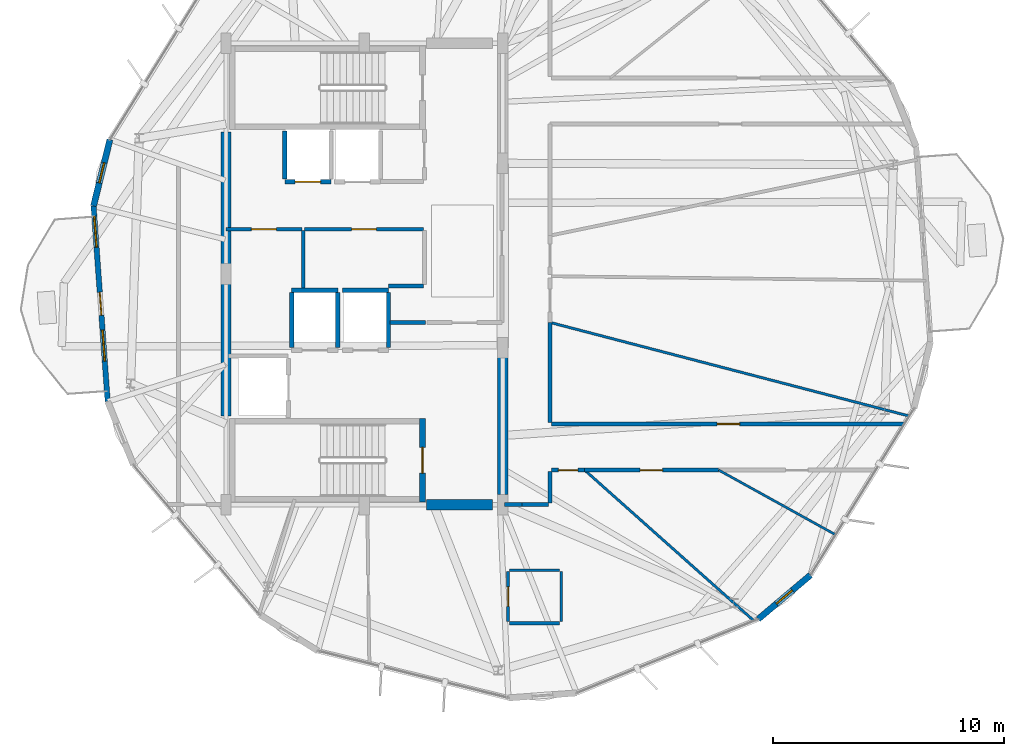
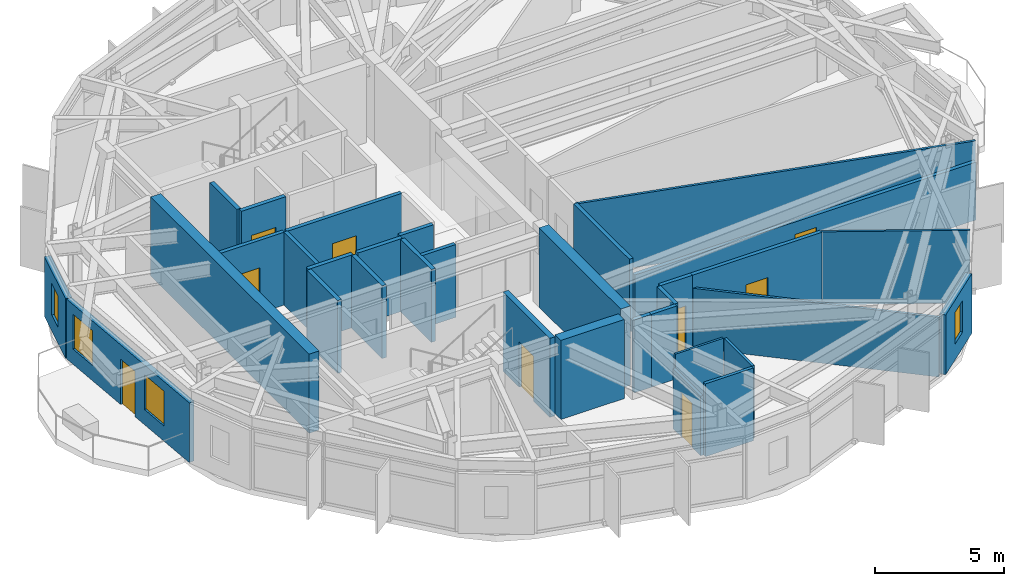
# One storey, part 21 of 26: 33 walls, 9 doors, 4 windows, 13 openings.
"""IFC4 building model written with IfcOpenShell, lengths in metres."""

from ifc_helpers import new_model, si_unit, direction, frame, frame_2d, origin, place, context, subcontext, project, spatial, rectangle, extrude, material, layer, layer_set, type_object, element, fill, save


model = new_model("IFC4")

# Units and contexts
model_context = context("Model", 3, precision=1e-05, world=origin(), true_north=direction((0.0, 1.0)))
body_context = subcontext(model_context, "Body", "Model", "MODEL_VIEW")
ifc_project = project(units=[si_unit("LENGTHUNIT", "METRE"), si_unit("AREAUNIT", "SQUARE_METRE"), si_unit("VOLUMEUNIT", "CUBIC_METRE"), si_unit("PLANEANGLEUNIT", "RADIAN"), si_unit("MASSUNIT", "GRAM", prefix="KILO")], contexts=[model_context])

# Site, building, storey
site_placement = place(None, origin())
site = spatial("IfcSite", under=ifc_project, at=site_placement, CompositionType="ELEMENT")
building_placement = place(site_placement, origin())
building = spatial("IfcBuilding", under=site, at=building_placement, Name="Soratama Intermodal Tower", CompositionType="ELEMENT")
storey_placement = place(building_placement, frame((0.0, 0.0, 246.25)))
storey = spatial("IfcBuildingStorey", under=building, at=storey_placement, Name="L62", CompositionType="ELEMENT", Elevation=246.25)

# Wall, openings, door, windows
ifc_material_1 = material(Name="Concrete f'c 42 MPa", Category="concrete")
ifc_layer_1 = layer(ifc_material_1, 0.22998046875)
ifc_layer_set_1 = layer_set([ifc_layer_1], Name="Concrete f'c 42 MPa")
wall_type_1 = type_object("IfcWallType", Name="EW-BAL-230", PredefinedType="SOLIDWALL", material=ifc_layer_set_1)
wall_1_placement = place(storey_placement, frame((26.860107421875, 27.947998046875, 0.0), z_axis=(0.0, 0.0, 1.0), x_axis=(0.072181914465, -0.997391483433, 0.0)))
wall_1 = element("IfcWall", 1, at=wall_1_placement, inside=storey, type_object=wall_type_1, Name="L62 Terrace Wall F04", PredefinedType="SOLIDWALL", context=body_context, shape_type="SweptSolid", body=[
    extrude(rectangle(XDim=8.499755859375, YDim=0.22998046875, at=frame_2d((4.25, 0.0))), origin(), (0.0, 0.0, 1.0), 2.8291015625),
])
opening_1_placement = place(wall_1_placement, frame((3.75, 0.0, 0.0)))
opening_1 = element("IfcOpeningElement", 2, at=opening_1_placement, cuts=wall_1, Name="Opening ED-2", PredefinedType="OPENING", context=body_context, shape_type="SweptSolid", body=[
    extrude(rectangle(XDim=1.0, YDim=2.14990234375, at=frame_2d((0.5, 1.074951171875))), frame((0.0, 0.125, 0.0), z_axis=(0.0, -1.0, 0.0), x_axis=(1.0, 0.0, 0.0)), (0.0, 0.0, 1.0), 0.25),
])
opening_2_placement = place(wall_1_placement, frame((0.43994140625, 0.0, 0.719970703125)))
opening_2 = element("IfcOpeningElement", 3, at=opening_2_placement, cuts=wall_1, Name="Opening WN-4", PredefinedType="OPENING", context=body_context, shape_type="SweptSolid", body=[
    extrude(rectangle(XDim=1.35009765625, YDim=1.64990234375, at=frame_2d((0.675048828125, 0.824951171875))), frame((0.0, 0.125, 0.0), z_axis=(0.0, -1.0, 0.0), x_axis=(1.0, 0.0, 0.0)), (0.0, 0.0, 1.0), 0.25),
])
opening_3_placement = place(wall_1_placement, frame((5.389892578125, 0.0, 0.719970703125)))
opening_3 = element("IfcOpeningElement", 4, at=opening_3_placement, cuts=wall_1, Name="Opening WN-4", PredefinedType="OPENING", context=body_context, shape_type="SweptSolid", body=[
    extrude(rectangle(XDim=1.35009765625, YDim=1.64990234375, at=frame_2d((0.675048828125, 0.824951171875))), frame((0.0, 0.125, 0.0), z_axis=(0.0, -1.0, 0.0), x_axis=(1.0, 0.0, 0.0)), (0.0, 0.0, 1.0), 0.25),
])
ifc_material_2 = material(Name="Double-glazed aluminium door", Category="aluminium")
door_type_1 = type_object("IfcDoorType", Name="DR-BAL-1000", OperationType="NOTDEFINED", PredefinedType="DOOR", material=ifc_material_2)
door_1_placement = place(opening_1_placement, origin())
door_1 = element("IfcDoor", 5, at=door_1_placement, inside=storey, type_object=door_type_1, Name="L62 Balcony Door F04", OperationType="SINGLE_SWING_RIGHT", OverallHeight=2.14990234375, OverallWidth=1.0, PredefinedType="DOOR", context=body_context, shape_type="SweptSolid", body=[
    extrude(rectangle(XDim=1.0, YDim=2.14990234375, at=frame_2d((0.5, 1.074951171875))), frame((0.0, 0.02490234375, 0.0), z_axis=(0.0, -1.0, 0.0), x_axis=(1.0, 0.0, 0.0)), (0.0, 0.0, 1.0), 0.050048828125),
])
fill(opening_1, door_1)
ifc_material_3 = material(Name="Double-glazed aluminium window", Category="aluminium")
window_type_1 = type_object("IfcWindowType", Name="WN-FAC-1350", PartitioningType="SINGLE_PANEL", PredefinedType="WINDOW", material=ifc_material_3)
window_1_placement = place(opening_2_placement, origin())
window_1 = element("IfcWindow", 6, at=window_1_placement, inside=storey, type_object=window_type_1, Name="L62 Window A F04", OverallHeight=1.64990234375, OverallWidth=1.35009765625, PartitioningType="SINGLE_PANEL", PredefinedType="WINDOW", context=body_context, shape_type="SweptSolid", body=[
    extrude(rectangle(XDim=1.35009765625, YDim=1.64990234375, at=frame_2d((0.675048828125, 0.824951171875))), frame((0.0, 0.030029296875, 0.0), z_axis=(0.0, -1.0, 0.0), x_axis=(1.0, 0.0, 0.0)), (0.0, 0.0, 1.0), 0.06005859375),
])
fill(opening_2, window_1)
window_2_placement = place(opening_3_placement, origin())
window_2 = element("IfcWindow", 7, at=window_2_placement, inside=storey, type_object=window_type_1, Name="L62 Window B F04", OverallHeight=1.64990234375, OverallWidth=1.35009765625, PartitioningType="SINGLE_PANEL", PredefinedType="WINDOW", context=body_context, shape_type="SweptSolid", body=[
    extrude(rectangle(XDim=1.35009765625, YDim=1.64990234375, at=frame_2d((0.675048828125, 0.824951171875))), frame((0.0, 0.030029296875, 0.0), z_axis=(0.0, -1.0, 0.0), x_axis=(1.0, 0.0, 0.0)), (0.0, 0.0, 1.0), 0.06005859375),
])
fill(opening_3, window_2)

# Wall, opening, window
ifc_material_4 = material(Name="Concrete f'c 42 MPa", Category="concrete")
ifc_layer_2 = layer(ifc_material_4, 0.27001953125)
ifc_layer_set_2 = layer_set([ifc_layer_2], Name="Concrete f'c 42 MPa")
wall_type_2 = type_object("IfcWallType", Name="EW-CRN-270", PredefinedType="SOLIDWALL", material=ifc_layer_set_2)
wall_2_placement = place(storey_placement, frame((27.570556640625, 30.828125, 0.0), z_axis=(0.0, 0.0, 1.0), x_axis=(-0.23949416051, -0.970897804654, 0.0)))
wall_2 = element("IfcWall", 8, at=wall_2_placement, inside=storey, type_object=wall_type_2, Name="L62 Corner Closure Wall 03", PredefinedType="SOLIDWALL", context=body_context, shape_type="SweptSolid", body=[
    extrude(rectangle(XDim=2.966552734375, YDim=0.27001953125, at=frame_2d((1.4833984375, 0.0))), origin(), (0.0, 0.0, 1.0), 2.8291015625),
])
opening_4_placement = place(wall_2_placement, frame((1.033203125, 0.0, 0.75)))
opening_4 = element("IfcOpeningElement", 9, at=opening_4_placement, cuts=wall_2, Name="Opening WN-6", PredefinedType="OPENING", context=body_context, shape_type="SweptSolid", body=[
    extrude(rectangle(XDim=0.89990234375, YDim=1.5, at=frame_2d((0.449951171875, 0.75))), frame((0.0, 0.14501953125, 0.0), z_axis=(0.0, -1.0, 0.0), x_axis=(1.0, 0.0, 0.0)), (0.0, 0.0, 1.0), 0.2900390625),
])
ifc_material_5 = material(Name="Double-glazed aluminium window", Category="aluminium")
window_type_2 = type_object("IfcWindowType", Name="WN-FAC-900", PartitioningType="SINGLE_PANEL", PredefinedType="WINDOW", material=ifc_material_5)
window_3_placement = place(opening_4_placement, origin())
window_3 = element("IfcWindow", 10, at=window_3_placement, inside=storey, type_object=window_type_2, Name="L62 Corner Window 03", OverallHeight=1.5, OverallWidth=0.89990234375, PartitioningType="SINGLE_PANEL", PredefinedType="WINDOW", context=body_context, shape_type="SweptSolid", body=[
    extrude(rectangle(XDim=0.89990234375, YDim=1.5, at=frame_2d((0.449951171875, 0.75))), frame((0.0, 0.030029296875, 0.0), z_axis=(0.0, -1.0, 0.0), x_axis=(1.0, 0.0, 0.0)), (0.0, 0.0, 1.0), 0.06005859375),
])
fill(opening_4, window_3)

wall_3_placement = place(storey_placement, frame((55.6748046875, 10.040283203125, 0.0), z_axis=(0.0, 0.0, 1.0), x_axis=(0.764511985062, 0.644609513347, 0.0)))
wall_3 = element("IfcWall", 11, at=wall_3_placement, inside=storey, type_object=wall_type_2, Name="L62 Corner Closure Wall 07", PredefinedType="SOLIDWALL", context=body_context, shape_type="SweptSolid", body=[
    extrude(rectangle(XDim=2.966796875, YDim=0.27001953125, at=frame_2d((1.4833984375, 0.0))), origin(), (0.0, 0.0, 1.0), 2.8291015625),
])
opening_5_placement = place(wall_3_placement, frame((1.033203125, 0.0, 0.75)))
opening_5 = element("IfcOpeningElement", 12, at=opening_5_placement, cuts=wall_3, Name="Opening WN-6", PredefinedType="OPENING", context=body_context, shape_type="SweptSolid", body=[
    extrude(rectangle(XDim=0.89990234375, YDim=1.5, at=frame_2d((0.449951171875, 0.75))), frame((0.0, 0.14501953125, 0.0), z_axis=(0.0, -1.0, 0.0), x_axis=(1.0, 0.0, 0.0)), (0.0, 0.0, 1.0), 0.2900390625),
])
window_4_placement = place(opening_5_placement, origin())
window_4 = element("IfcWindow", 13, at=window_4_placement, inside=storey, type_object=window_type_2, Name="L62 Corner Window 07", OverallHeight=1.5, OverallWidth=0.89990234375, PartitioningType="SINGLE_PANEL", PredefinedType="WINDOW", context=body_context, shape_type="SweptSolid", body=[
    extrude(rectangle(XDim=0.89990234375, YDim=1.5, at=frame_2d((0.449951171875, 0.75))), frame((0.0, 0.030029296875, 0.0), z_axis=(0.0, -1.0, 0.0), x_axis=(1.0, 0.0, 0.0)), (0.0, 0.0, 1.0), 0.06005859375),
])
fill(opening_5, window_4)

# Wall, opening, door
ifc_material_6 = material(Name="Fire-rated gypsum stud partition", Category="concrete")
ifc_layer_3 = layer(ifc_material_6, 0.169921875)
ifc_layer_set_3 = layer_set([ifc_layer_3], Name="Fire-rated gypsum stud partition")
wall_type_3 = type_object("IfcWallType", Name="IW-PART-R170", PredefinedType="PARTITIONING", material=ifc_layer_set_3)
wall_4_placement = place(storey_placement, frame((46.719970703125, 18.5, 0.0), z_axis=(0.0, 0.0, 1.0), x_axis=(1.0, 0.0, 0.0)))
wall_4 = element("IfcWall", 14, at=wall_4_placement, inside=storey, type_object=wall_type_3, Name="L62 Partition W-L62-TP005", PredefinedType="PARTITIONING", context=body_context, shape_type="SweptSolid", body=[
    extrude(rectangle(XDim=15.2919921875, YDim=0.169921875, at=frame_2d((7.64599609375, 0.0))), origin(), (0.0, 0.0, 1.0), 2.7451171875),
])
opening_6_placement = place(wall_4_placement, frame((7.1708984375, 0.0, 0.0)))
opening_6 = element("IfcOpeningElement", 15, at=opening_6_placement, cuts=wall_4, Name="Opening ID-5", PredefinedType="OPENING", context=body_context, shape_type="SweptSolid", body=[
    extrude(rectangle(XDim=0.97998046875, YDim=2.14990234375, at=frame_2d((0.489990234375, 1.074951171875))), frame((0.0, 0.094970703125, 0.0), z_axis=(0.0, -1.0, 0.0), x_axis=(1.0, 0.0, 0.0)), (0.0, 0.0, 1.0), 0.18994140625),
])
ifc_material_7 = material(Name="Solid hardwood acoustic door", Category="wood")
door_type_2 = type_object("IfcDoorType", Name="DR-OFF-980", OperationType="NOTDEFINED", PredefinedType="DOOR", material=ifc_material_7)
door_2_placement = place(opening_6_placement, origin())
door_2 = element("IfcDoor", 16, at=door_2_placement, inside=storey, type_object=door_type_2, Name="L62 Door D-L62-TP002", OperationType="SINGLE_SWING_LEFT", OverallHeight=2.14990234375, OverallWidth=0.97998046875, PredefinedType="DOOR", context=body_context, shape_type="SweptSolid", body=[
    extrude(rectangle(XDim=0.97998046875, YDim=2.14990234375, at=frame_2d((0.489990234375, 1.074951171875))), frame((0.0, 0.02490234375, 0.0), z_axis=(0.0, -1.0, 0.0), x_axis=(1.0, 0.0, 0.0)), (0.0, 0.0, 1.0), 0.050048828125),
])
fill(opening_6, door_2)

wall_5_placement = place(storey_placement, frame((53.9619140625, 16.5, 0.0), z_axis=(0.0, 0.0, 1.0), x_axis=(-1.0, 0.0, 0.0)))
wall_5 = element("IfcWall", 17, at=wall_5_placement, inside=storey, type_object=wall_type_3, Name="L62 Partition W-L62-TP013", PredefinedType="PARTITIONING", context=body_context, shape_type="SweptSolid", body=[
    extrude(rectangle(XDim=5.81298828125, YDim=0.169921875, at=frame_2d((2.906494140625, 0.0))), origin(), (0.0, 0.0, 1.0), 3.449951171875),
])
opening_7_placement = place(wall_5_placement, frame((2.431884765625, 0.0, 0.0)))
opening_7 = element("IfcOpeningElement", 18, at=opening_7_placement, cuts=wall_5, Name="Opening ID-5", PredefinedType="OPENING", context=body_context, shape_type="SweptSolid", body=[
    extrude(rectangle(XDim=0.97998046875, YDim=2.14990234375, at=frame_2d((0.489990234375, 1.074951171875))), frame((0.0, 0.094970703125, 0.0), z_axis=(0.0, -1.0, 0.0), x_axis=(1.0, 0.0, 0.0)), (0.0, 0.0, 1.0), 0.18994140625),
])
door_3_placement = place(opening_7_placement, origin())
door_3 = element("IfcDoor", 19, at=door_3_placement, inside=storey, type_object=door_type_2, Name="L62 Door D-L62-TP007", OperationType="SINGLE_SWING_RIGHT", OverallHeight=2.14990234375, OverallWidth=0.97998046875, PredefinedType="DOOR", context=body_context, shape_type="SweptSolid", body=[
    extrude(rectangle(XDim=0.97998046875, YDim=2.14990234375, at=frame_2d((0.489990234375, 1.074951171875))), frame((0.0, 0.02490234375, 0.0), z_axis=(0.0, -1.0, 0.0), x_axis=(1.0, 0.0, 0.0)), (0.0, 0.0, 1.0), 0.050048828125),
])
fill(opening_7, door_3)

wall_6_placement = place(storey_placement, frame((41.159912109375, 26.93994140625, 0.0), z_axis=(0.0, 0.0, 1.0), x_axis=(-1.0, 0.0, 0.0)))
wall_6 = element("IfcWall", 20, at=wall_6_placement, inside=storey, type_object=wall_type_3, Name="L62 Partition W-L62-TP016", PredefinedType="PARTITIONING", context=body_context, shape_type="SweptSolid", body=[
    extrude(rectangle(XDim=5.14990234375, YDim=0.169921875, at=frame_2d((2.574951171875, 0.0))), origin(), (0.0, 0.0, 1.0), 3.449951171875),
])
opening_8_placement = place(wall_6_placement, frame((2.034912109375, 0.0, 0.0)))
opening_8 = element("IfcOpeningElement", 21, at=opening_8_placement, cuts=wall_6, Name="Opening ID-1", PredefinedType="OPENING", context=body_context, shape_type="SweptSolid", body=[
    extrude(rectangle(XDim=1.080078125, YDim=2.14990234375, at=frame_2d((0.5400390625, 1.074951171875))), frame((0.0, 0.094970703125, 0.0), z_axis=(0.0, -1.0, 0.0), x_axis=(1.0, 0.0, 0.0)), (0.0, 0.0, 1.0), 0.18994140625),
])
ifc_material_8 = material(Name="Solid hardwood acoustic door", Category="wood")
door_type_3 = type_object("IfcDoorType", Name="DR-LOB-FD60", OperationType="NOTDEFINED", PredefinedType="DOOR", material=ifc_material_8)
door_4_placement = place(opening_8_placement, origin())
door_4 = element("IfcDoor", 22, at=door_4_placement, inside=storey, type_object=door_type_3, Name="L62 Door D-L62-TP008", OperationType="SINGLE_SWING_LEFT", OverallHeight=2.14990234375, OverallWidth=1.080078125, PredefinedType="DOOR", context=body_context, shape_type="SweptSolid", body=[
    extrude(rectangle(XDim=1.080078125, YDim=2.14990234375, at=frame_2d((0.5400390625, 1.074951171875))), frame((0.0, 0.02490234375, 0.0), z_axis=(0.0, -1.0, 0.0), x_axis=(1.0, 0.0, 0.0)), (0.0, 0.0, 1.0), 0.050048828125),
])
fill(opening_8, door_4)

# Wall
wall_7_placement = place(storey_placement, frame((46.64990234375, 22.90087890625, 0.0), z_axis=(0.0, 0.0, 1.0), x_axis=(0.0, -1.0, 0.0)))
element("IfcWall", 23, at=wall_7_placement, inside=storey, type_object=wall_type_3, Name="L62 Partition W-L62-TP018", PredefinedType="PARTITIONING", context=body_context, shape_type="SweptSolid", body=[
    extrude(rectangle(XDim=4.330810546875, YDim=0.169921875, at=frame_2d((2.16552734375, 0.0))), origin(), (0.0, 0.0, 1.0), 3.449951171875),
])

# Wall, opening, door
wall_8_placement = place(storey_placement, frame((35.889892578125, 26.93994140625, 0.0), z_axis=(0.0, 0.0, 1.0), x_axis=(-1.0, 0.0, 0.0)))
wall_8 = element("IfcWall", 24, at=wall_8_placement, inside=storey, type_object=wall_type_3, Name="L62 Partition W-L62-TP020", PredefinedType="PARTITIONING", context=body_context, shape_type="SweptSolid", body=[
    extrude(rectangle(XDim=3.289794921875, YDim=0.169921875, at=frame_2d((1.64501953125, 0.0))), origin(), (0.0, 0.0, 1.0), 3.449951171875),
])
opening_9_placement = place(wall_8_placement, frame((1.10498046875, 0.0, 0.0)))
opening_9 = element("IfcOpeningElement", 25, at=opening_9_placement, cuts=wall_8, Name="Opening ID-1", PredefinedType="OPENING", context=body_context, shape_type="SweptSolid", body=[
    extrude(rectangle(XDim=1.080078125, YDim=2.14990234375, at=frame_2d((0.5400390625, 1.074951171875))), frame((0.0, 0.094970703125, 0.0), z_axis=(0.0, -1.0, 0.0), x_axis=(1.0, 0.0, 0.0)), (0.0, 0.0, 1.0), 0.18994140625),
])
door_5_placement = place(opening_9_placement, origin())
door_5 = element("IfcDoor", 26, at=door_5_placement, inside=storey, type_object=door_type_3, Name="L62 Door D-L62-TP009", OperationType="SINGLE_SWING_RIGHT", OverallHeight=2.14990234375, OverallWidth=1.080078125, PredefinedType="DOOR", context=body_context, shape_type="SweptSolid", body=[
    extrude(rectangle(XDim=1.080078125, YDim=2.14990234375, at=frame_2d((0.5400390625, 1.074951171875))), frame((0.0, 0.02490234375, 0.0), z_axis=(0.0, -1.0, 0.0), x_axis=(1.0, 0.0, 0.0)), (0.0, 0.0, 1.0), 0.050048828125),
])
fill(opening_9, door_5)

# Walls
wall_9_placement = place(storey_placement, frame((35.949951171875, 26.8798828125, 0.0), z_axis=(0.0, 0.0, 1.0), x_axis=(0.0, -1.0, 0.0)))
element("IfcWall", 27, at=wall_9_placement, inside=storey, type_object=wall_type_3, Name="L62 Partition W-L62-TP022", PredefinedType="PARTITIONING", context=body_context, shape_type="SweptSolid", body=[
    extrude(rectangle(XDim=2.579833984375, YDim=0.169921875, at=frame_2d((1.2900390625, 0.0))), origin(), (0.0, 0.0, 1.0), 3.449951171875),
])
wall_10_placement = place(storey_placement, frame((39.719970703125, 22.889892578125, 0.0), z_axis=(0.0, 0.0, 1.0), x_axis=(1.0, 0.0, 0.0)))
element("IfcWall", 28, at=wall_10_placement, inside=storey, type_object=wall_type_3, Name="L62 Partition W-L62-TP034", PredefinedType="PARTITIONING", context=body_context, shape_type="SweptSolid", body=[
    extrude(rectangle(XDim=1.52001953125, YDim=0.169921875, at=frame_2d((0.760009765625, 0.0))), origin(), (0.0, 0.0, 1.0), 3.449951171875),
])
wall_11_placement = place(storey_placement, frame((39.64990234375, 24.485107421875, 0.0), z_axis=(0.0, 0.0, 1.0), x_axis=(1.0, 0.0, 0.0)))
element("IfcWall", 29, at=wall_11_placement, inside=storey, type_object=wall_type_3, Name="L62 Partition W-L62-TP035", PredefinedType="PARTITIONING", context=body_context, shape_type="SweptSolid", body=[
    extrude(rectangle(XDim=1.510009765625, YDim=0.169921875, at=frame_2d((0.7548828125, 0.0))), origin(), (0.0, 0.0, 1.0), 3.449951171875),
])

# Wall, opening, door
wall_12_placement = place(storey_placement, frame((48.14892578125, 16.5, 0.0), z_axis=(0.0, 0.0, 1.0), x_axis=(-1.0, 0.0, 0.0)))
wall_12 = element("IfcWall", 30, at=wall_12_placement, inside=storey, type_object=wall_type_3, Name="L62 Partition W-L62-TP036", PredefinedType="PARTITIONING", context=body_context, shape_type="SweptSolid", body=[
    extrude(rectangle(XDim=1.428955078125, YDim=0.169921875, at=frame_2d((0.71435546875, 0.0))), origin(), (0.0, 0.0, 1.0), 3.449951171875),
])
opening_10_placement = place(wall_12_placement, frame((0.2900390625, 0.0, 0.0)))
opening_10 = element("IfcOpeningElement", 31, at=opening_10_placement, cuts=wall_12, Name="Opening ID-4", PredefinedType="OPENING", context=body_context, shape_type="SweptSolid", body=[
    extrude(rectangle(XDim=0.85009765625, YDim=2.10009765625, at=frame_2d((0.425048828125, 1.050048828125))), frame((0.0, 0.094970703125, 0.0), z_axis=(0.0, -1.0, 0.0), x_axis=(1.0, 0.0, 0.0)), (0.0, 0.0, 1.0), 0.18994140625),
])
ifc_material_9 = material(Name="Solid hardwood acoustic door", Category="wood")
door_type_4 = type_object("IfcDoorType", Name="DR-BATH-850", OperationType="NOTDEFINED", PredefinedType="DOOR", material=ifc_material_9)
door_6_placement = place(opening_10_placement, origin())
door_6 = element("IfcDoor", 32, at=door_6_placement, inside=storey, type_object=door_type_4, Name="L62 Door D-L62-TP016", OperationType="SINGLE_SWING_LEFT", OverallHeight=2.10009765625, OverallWidth=0.85009765625, PredefinedType="DOOR", context=body_context, shape_type="SweptSolid", body=[
    extrude(rectangle(XDim=0.85009765625, YDim=2.10009765625, at=frame_2d((0.425048828125, 1.050048828125))), frame((0.0, 0.02490234375, 0.0), z_axis=(0.0, -1.0, 0.0), x_axis=(1.0, 0.0, 0.0)), (0.0, 0.0, 1.0), 0.050048828125),
])
fill(opening_10, door_6)

# Walls
wall_13_placement = place(storey_placement, frame((46.64990234375, 16.429931640625, 0.0), z_axis=(0.0, 0.0, 1.0), x_axis=(0.0, -1.0, 0.0)))
element("IfcWall", 33, at=wall_13_placement, inside=storey, type_object=wall_type_3, Name="L62 Partition W-L62-TP037", PredefinedType="PARTITIONING", context=body_context, shape_type="SweptSolid", body=[
    extrude(rectangle(XDim=1.35986328125, YDim=0.169921875, at=frame_2d((0.679931640625, 0.0))), origin(), (0.0, 0.0, 1.0), 3.449951171875),
])
wall_14_placement = place(storey_placement, frame((46.580078125, 15.0, 0.0), z_axis=(0.0, 0.0, 1.0), x_axis=(-1.0, 0.0, 0.0)))
element("IfcWall", 34, at=wall_14_placement, inside=storey, type_object=wall_type_3, Name="L62 Partition W-L62-TP038", PredefinedType="PARTITIONING", context=body_context, shape_type="SweptSolid", body=[
    extrude(rectangle(XDim=1.13916015625, YDim=0.169921875, at=frame_2d((0.569580078125, 0.0))), origin(), (0.0, 0.0, 1.0), 3.449951171875),
])
wall_15_placement = place(storey_placement, frame((45.43896484375, 15.0, 0.0), z_axis=(0.0, 0.0, 1.0), x_axis=(-1.0, 0.0, 0.0)))
element("IfcWall", 35, at=wall_15_placement, inside=storey, type_object=wall_type_3, Name="L62 Partition W-L62-TP039", PredefinedType="PARTITIONING", context=body_context, shape_type="SweptSolid", body=[
    extrude(rectangle(XDim=0.76904296875, YDim=0.169921875, at=frame_2d((0.384521484375, 0.0))), origin(), (0.0, 0.0, 1.0), 3.449951171875),
])
ifc_material_10 = material(Name="Fire-rated gypsum stud partition", Category="concrete")
ifc_layer_4 = layer(ifc_material_10, 0.10009765625)
ifc_layer_set_4 = layer_set([ifc_layer_4], Name="Fire-rated gypsum stud partition")
wall_type_4 = type_object("IfcWallType", Name="IW-PART-S100", PredefinedType="PARTITIONING", material=ifc_layer_set_4)
wall_16_placement = place(storey_placement, frame((53.9619140625, 16.5, 0.0), z_axis=(0.0, 0.0, 1.0), x_axis=(0.875035182715, -0.484059323855, 0.0)))
element("IfcWall", 36, at=wall_16_placement, inside=storey, type_object=wall_type_4, Name="L62 Partition W-L62-TP014", PredefinedType="PARTITIONING", context=body_context, shape_type="SweptSolid", body=[
    extrude(rectangle(XDim=5.78857421875, YDim=0.10009765625, at=frame_2d((2.894287109375, 0.0))), origin(), (0.0, 0.0, 1.0), 3.449951171875),
])
wall_17_placement = place(storey_placement, frame((47.06103515625, 12.1650390625, 0.0), z_axis=(0.0, 0.0, 1.0), x_axis=(-1.0, 0.0, 0.0)))
element("IfcWall", 37, at=wall_17_placement, inside=storey, type_object=wall_type_4, Name="L62 Partition W-L62-TP029", PredefinedType="PARTITIONING", context=body_context, shape_type="SweptSolid", body=[
    extrude(rectangle(XDim=2.16015625, YDim=0.10009765625, at=frame_2d((1.080078125, 0.0))), origin(), (0.0, 0.0, 1.0), 3.449951171875),
])
ifc_material_11 = material(Name="Fire-rated gypsum stud partition", Category="concrete")
ifc_layer_5 = layer(ifc_material_11, 0.110107421875)
ifc_layer_set_5 = layer_set([ifc_layer_5], Name="Fire-rated gypsum stud partition")
wall_type_5 = type_object("IfcWallType", Name="IW-PART-S110", PredefinedType="PARTITIONING", material=ifc_layer_set_5)
wall_18_placement = place(storey_placement, frame((46.64990234375, 22.90087890625, 0.0), z_axis=(0.0, 0.0, 1.0), x_axis=(0.96766316622, -0.252245905303, 0.0)))
element("IfcWall", 38, at=wall_18_placement, inside=storey, type_object=wall_type_5, Name="L62 Partition W-L62-TP003", PredefinedType="PARTITIONING", context=body_context, shape_type="SweptSolid", body=[
    extrude(rectangle(XDim=16.0947265625, YDim=0.110107421875, at=frame_2d((8.04736328125, 0.0))), origin(), (0.0, 0.0, 1.0), 3.449951171875),
])
wall_19_placement = place(storey_placement, frame((48.14892578125, 16.5, 0.0), z_axis=(0.0, 0.0, 1.0), x_axis=(0.746928074218, -0.664904844278, 0.0)))
element("IfcWall", 39, at=wall_19_placement, inside=storey, type_object=wall_type_5, Name="L62 Partition W-L62-TP008", PredefinedType="PARTITIONING", context=body_context, shape_type="SweptSolid", body=[
    extrude(rectangle(XDim=9.828369140625, YDim=0.110107421875, at=frame_2d((4.9140625, 0.0))), origin(), (0.0, 0.0, 1.0), 2.827880859375),
])
wall_20_placement = place(storey_placement, frame((47.131103515625, 9.93505859375, 0.0), z_axis=(0.0, 0.0, 1.0), x_axis=(0.0, 1.0, 0.0)))
element("IfcWall", 40, at=wall_20_placement, inside=storey, type_object=wall_type_5, Name="L62 Partition W-L62-TP028", PredefinedType="PARTITIONING", context=body_context, shape_type="SweptSolid", body=[
    extrude(rectangle(XDim=2.159912109375, YDim=0.110107421875, at=frame_2d((1.080078125, 0.0))), origin(), (0.0, 0.0, 1.0), 3.449951171875),
])

# Wall, opening, door
ifc_material_12 = material(Name="Fire-rated gypsum stud partition", Category="concrete")
ifc_layer_6 = layer(ifc_material_12, 0.1201171875)
ifc_layer_set_6 = layer_set([ifc_layer_6], Name="Fire-rated gypsum stud partition")
wall_type_6 = type_object("IfcWallType", Name="IW-PART-S120", PredefinedType="PARTITIONING", material=ifc_layer_set_6)
wall_21_placement = place(storey_placement, frame((44.8310546875, 12.094970703125, 0.0), z_axis=(0.0, 0.0, 1.0), x_axis=(0.0, -1.0, 0.0)))
wall_21 = element("IfcWall", 41, at=wall_21_placement, inside=storey, type_object=wall_type_6, Name="L62 Partition W-L62-TP027", PredefinedType="PARTITIONING", context=body_context, shape_type="SweptSolid", body=[
    extrude(rectangle(XDim=2.159912109375, YDim=0.1201171875, at=frame_2d((1.080078125, 0.0))), origin(), (0.0, 0.0, 1.0), 2.827880859375),
])
opening_11_placement = place(wall_21_placement, frame((0.655029296875, 0.0, 0.0)))
opening_11 = element("IfcOpeningElement", 42, at=opening_11_placement, cuts=wall_21, Name="Opening ID-4", PredefinedType="OPENING", context=body_context, shape_type="SweptSolid", body=[
    extrude(rectangle(XDim=0.85009765625, YDim=2.10009765625, at=frame_2d((0.425048828125, 1.050048828125))), frame((0.0, 0.070068359375, 0.0), z_axis=(0.0, -1.0, 0.0), x_axis=(1.0, 0.0, 0.0)), (0.0, 0.0, 1.0), 0.14013671875),
])
door_7_placement = place(opening_11_placement, origin())
door_7 = element("IfcDoor", 43, at=door_7_placement, inside=storey, type_object=door_type_4, Name="L62 Door D-L62-TP013", OperationType="SINGLE_SWING_RIGHT", OverallHeight=2.10009765625, OverallWidth=0.85009765625, PredefinedType="DOOR", context=body_context, shape_type="SweptSolid", body=[
    extrude(rectangle(XDim=0.85009765625, YDim=2.10009765625, at=frame_2d((0.425048828125, 1.050048828125))), frame((0.0, 0.02490234375, 0.0), z_axis=(0.0, -1.0, 0.0), x_axis=(1.0, 0.0, 0.0)), (0.0, 0.0, 1.0), 0.050048828125),
])
fill(opening_11, door_7)

# Walls
ifc_material_13 = material(Name="Fire-rated gypsum stud partition", Category="concrete")
ifc_layer_7 = layer(ifc_material_13, 0.139892578125)
ifc_layer_set_7 = layer_set([ifc_layer_7], Name="Fire-rated gypsum stud partition")
wall_type_7 = type_object("IfcWallType", Name="IW-PART-S140", PredefinedType="PARTITIONING", material=ifc_layer_set_7)
wall_22_placement = place(storey_placement, frame((44.90087890625, 9.864990234375, 0.0), z_axis=(0.0, 0.0, 1.0), x_axis=(1.0, 0.0, 0.0)))
element("IfcWall", 44, at=wall_22_placement, inside=storey, type_object=wall_type_7, Name="L62 Partition W-L62-TP030", PredefinedType="PARTITIONING", context=body_context, shape_type="SweptSolid", body=[
    extrude(rectangle(XDim=2.16015625, YDim=0.139892578125, at=frame_2d((1.080078125, 0.0))), origin(), (0.0, 0.0, 1.0), 3.449951171875),
])
ifc_material_14 = material(Name="Concrete f'c 42 MPa", Category="concrete")
ifc_layer_8 = layer(ifc_material_14, 0.18505859375)
ifc_layer_set_8 = layer_set([ifc_layer_8], Name="Concrete f'c 42 MPa")
wall_type_8 = type_object("IfcWallType", Name="IW-SHAFT-185", PredefinedType="SOLIDWALL", material=ifc_layer_set_8)
wall_23_placement = place(storey_placement, frame((35.449951171875, 24.300048828125, 0.0), z_axis=(0.0, 0.0, 1.0), x_axis=(1.0, 0.0, 0.0)))
element("IfcWall", 45, at=wall_23_placement, inside=storey, type_object=wall_type_8, Name="L62 FFL-1 Hoistway Wall N", PredefinedType="SOLIDWALL", context=body_context, shape_type="SweptSolid", body=[
    extrude(rectangle(XDim=2.0, YDim=0.18505859375, at=frame_2d((1.0, 0.0))), origin(), (0.0, 0.0, 1.0), 3.449951171875),
])
for number, where, z_axis, x_axis, name in (
    (46, (35.449951171875, 21.81005859375, 0.0), (0.0, 0.0, 1.0), (0.0, 1.0, 0.0), "L62 FFL-1 Hoistway Wall W"),
    (47, (37.449951171875, 21.81005859375, 0.0), (0.0, 0.0, 1.0), (0.0, 1.0, 0.0), "L62 FFL-1 Hoistway Wall E"),
):
    element("IfcWall", number, at=place(storey_placement, frame(where, z_axis=z_axis, x_axis=x_axis)), inside=storey, type_object=wall_type_8, Name=name, PredefinedType="SOLIDWALL", context=body_context, shape_type="SweptSolid", body=[
        extrude(rectangle(XDim=2.3798828125, YDim=0.18505859375, at=frame_2d((1.18994140625, 0.0))), origin(), (0.0, 0.0, 1.0), 3.449951171875),
    ])
wall_24_placement = place(storey_placement, frame((37.64990234375, 24.300048828125, 0.0), z_axis=(0.0, 0.0, 1.0), x_axis=(1.0, 0.0, 0.0)))
element("IfcWall", 48, at=wall_24_placement, inside=storey, type_object=wall_type_8, Name="L62 FFL-2 Hoistway Wall N", PredefinedType="SOLIDWALL", context=body_context, shape_type="SweptSolid", body=[
    extrude(rectangle(XDim=2.0, YDim=0.18505859375, at=frame_2d((1.0, 0.0))), origin(), (0.0, 0.0, 1.0), 3.449951171875),
])
wall_25_placement = place(storey_placement, frame((39.64990234375, 21.81005859375, 0.0), z_axis=(0.0, 0.0, 1.0), x_axis=(0.0, 1.0, 0.0)))
element("IfcWall", 49, at=wall_25_placement, inside=storey, type_object=wall_type_8, Name="L62 FFL-2 Hoistway Wall E", PredefinedType="SOLIDWALL", context=body_context, shape_type="SweptSolid", body=[
    extrude(rectangle(XDim=2.3798828125, YDim=0.18505859375, at=frame_2d((1.18994140625, 0.0))), origin(), (0.0, 0.0, 1.0), 3.449951171875),
])

# Wall, opening, door
wall_26_placement = place(storey_placement, frame((35.14990234375, 29.0, 0.0), z_axis=(0.0, 0.0, 1.0), x_axis=(1.0, 0.0, 0.0)))
wall_26 = element("IfcWall", 50, at=wall_26_placement, inside=storey, type_object=wall_type_8, Name="L62 PL-H1 Hoistway Wall S", PredefinedType="SOLIDWALL", context=body_context, shape_type="SweptSolid", body=[
    extrude(rectangle(XDim=2.0, YDim=0.18505859375, at=frame_2d((1.0, 0.0))), origin(), (0.0, 0.0, 1.0), 3.449951171875),
])
opening_12_placement = place(wall_26_placement, frame((0.449951171875, 0.0, 0.0)))
opening_12 = element("IfcOpeningElement", 51, at=opening_12_placement, cuts=wall_26, Name="Opening LD-1", PredefinedType="OPENING", context=body_context, shape_type="SweptSolid", body=[
    extrude(rectangle(XDim=1.10009765625, YDim=2.14990234375, at=frame_2d((0.550048828125, 1.074951171875))), frame((0.0, 0.1025390625, 0.0), z_axis=(0.0, -1.0, 0.0), x_axis=(1.0, 0.0, 0.0)), (0.0, 0.0, 1.0), 0.205078125),
])
ifc_material_15 = material(Name="Steel fire door", Category="steel")
door_type_5 = type_object("IfcDoorType", Name="DR-LIFT-SLIDE", OperationType="NOTDEFINED", PredefinedType="DOOR", material=ifc_material_15)
door_8_placement = place(opening_12_placement, origin())
door_8 = element("IfcDoor", 52, at=door_8_placement, inside=storey, type_object=door_type_5, Name="L62 PL-H1 Sliding Landing Door", OperationType="SLIDING_TO_LEFT", OverallHeight=2.14990234375, OverallWidth=1.10009765625, PredefinedType="DOOR", context=body_context, shape_type="SweptSolid", body=[
    extrude(rectangle(XDim=1.10009765625, YDim=2.14990234375, at=frame_2d((0.550048828125, 1.074951171875))), frame((0.0, 0.02490234375, 0.0), z_axis=(0.0, -1.0, 0.0), x_axis=(1.0, 0.0, 0.0)), (0.0, 0.0, 1.0), 0.050048828125),
])
fill(opening_12, door_8)

# Walls
wall_27_placement = place(storey_placement, frame((35.14990234375, 29.110107421875, 0.0), z_axis=(0.0, 0.0, 1.0), x_axis=(0.0, 1.0, 0.0)))
element("IfcWall", 53, at=wall_27_placement, inside=storey, type_object=wall_type_8, Name="L62 PL-H1 Hoistway Wall W", PredefinedType="SOLIDWALL", context=body_context, shape_type="SweptSolid", body=[
    extrude(rectangle(XDim=2.099853515625, YDim=0.18505859375, at=frame_2d((1.0498046875, 0.0))), origin(), (0.0, 0.0, 1.0), 3.449951171875),
])
ifc_material_16 = material(Name="Concrete f'c 56 MPa", Category="concrete")
ifc_layer_9 = layer(ifc_material_16, 0.449951171875)
ifc_layer_set_9 = layer_set([ifc_layer_9], Name="Concrete f'c 56 MPa")
wall_type_9 = type_object("IfcWallType", Name="SW-CORE-450", PredefinedType="SHEAR", material=ifc_layer_set_9)
wall_28_placement = place(storey_placement, frame((32.60009765625, 18.85009765625, 0.0), z_axis=(0.0, 0.0, 1.0), x_axis=(0.0, 1.0, 0.0)))
element("IfcWall", 54, at=wall_28_placement, inside=storey, type_object=wall_type_9, Name="L62 Core Shear Wall CW-WMID", PredefinedType="SHEAR", context=body_context, shape_type="SweptSolid", body=[
    extrude(rectangle(XDim=12.2998046875, YDim=0.449951171875, at=frame_2d((6.14990234375, 0.0))), origin(), (0.0, 0.0, 1.0), 3.75),
])
wall_29_placement = place(storey_placement, frame((41.300048828125, 15.0, 0.0), z_axis=(0.0, 0.0, 1.0), x_axis=(1.0, 0.0, 0.0)))
element("IfcWall", 55, at=wall_29_placement, inside=storey, type_object=wall_type_9, Name="L62 Core Shear Wall CW-SE", PredefinedType="SHEAR", context=body_context, shape_type="SweptSolid", body=[
    extrude(rectangle(XDim=2.849853515625, YDim=0.449951171875, at=frame_2d((1.4248046875, 0.0))), origin(), (0.0, 0.0, 1.0), 3.75),
])
wall_30_placement = place(storey_placement, frame((44.60009765625, 15.449951171875, 0.0), z_axis=(0.0, 0.0, 1.0), x_axis=(0.0, 1.0, 0.0)))
element("IfcWall", 56, at=wall_30_placement, inside=storey, type_object=wall_type_9, Name="L62 Core Shear Wall CW-ES", PredefinedType="SHEAR", context=body_context, shape_type="SweptSolid", body=[
    extrude(rectangle(XDim=6.35009765625, YDim=0.449951171875, at=frame_2d((3.175048828125, 0.0))), origin(), (0.0, 0.0, 1.0), 3.75),
])

# Wall, opening, door
ifc_material_17 = material(Name="Concrete f'c 56 MPa", Category="concrete")
ifc_layer_10 = layer(ifc_material_17, 0.239990234375)
ifc_layer_set_10 = layer_set([ifc_layer_10], Name="Concrete f'c 56 MPa")
wall_type_10 = type_object("IfcWallType", Name="SW-STAIR-240", PredefinedType="SHEAR", material=ifc_layer_set_10)
wall_31_placement = place(storey_placement, frame((41.1201171875, 15.110107421875, 0.0), z_axis=(0.0, 0.0, 1.0), x_axis=(0.0, 1.0, 0.0)))
wall_31 = element("IfcWall", 57, at=wall_31_placement, inside=storey, type_object=wall_type_10, Name="L62 ST-1 Shaft Shear Wall E", PredefinedType="SHEAR", context=body_context, shape_type="SweptSolid", body=[
    extrude(rectangle(XDim=3.6298828125, YDim=0.239990234375, at=frame_2d((1.81494140625, 0.0))), origin(), (0.0, 0.0, 1.0), 3.75),
])
opening_13_placement = place(wall_31_placement, frame((1.2548828125, 0.0, 0.0)))
opening_13 = element("IfcOpeningElement", 58, at=opening_13_placement, cuts=wall_31, Name="Opening SD-1", PredefinedType="OPENING", context=body_context, shape_type="SweptSolid", body=[
    extrude(rectangle(XDim=1.1201171875, YDim=2.14990234375, at=frame_2d((0.56005859375, 1.074951171875))), frame((0.0, 0.1298828125, 0.0), z_axis=(0.0, -1.0, 0.0), x_axis=(1.0, 0.0, 0.0)), (0.0, 0.0, 1.0), 0.260009765625),
])
ifc_material_18 = material(Name="Steel fire door", Category="steel")
door_type_6 = type_object("IfcDoorType", Name="DR-STAIR-FD90", OperationType="NOTDEFINED", PredefinedType="DOOR", material=ifc_material_18)
door_9_placement = place(opening_13_placement, origin())
door_9 = element("IfcDoor", 59, at=door_9_placement, inside=storey, type_object=door_type_6, Name="L62 ST-1 Exit Stair Door", OperationType="SINGLE_SWING_LEFT", OverallHeight=2.14990234375, OverallWidth=1.1201171875, PredefinedType="DOOR", context=body_context, shape_type="SweptSolid", body=[
    extrude(rectangle(XDim=1.1201171875, YDim=2.14990234375, at=frame_2d((0.56005859375, 1.074951171875))), frame((0.0, 0.02490234375, 0.0), z_axis=(0.0, -1.0, 0.0), x_axis=(1.0, 0.0, 0.0)), (0.0, 0.0, 1.0), 0.050048828125),
])
fill(opening_13, door_9)

save(model, "model.ifc")
